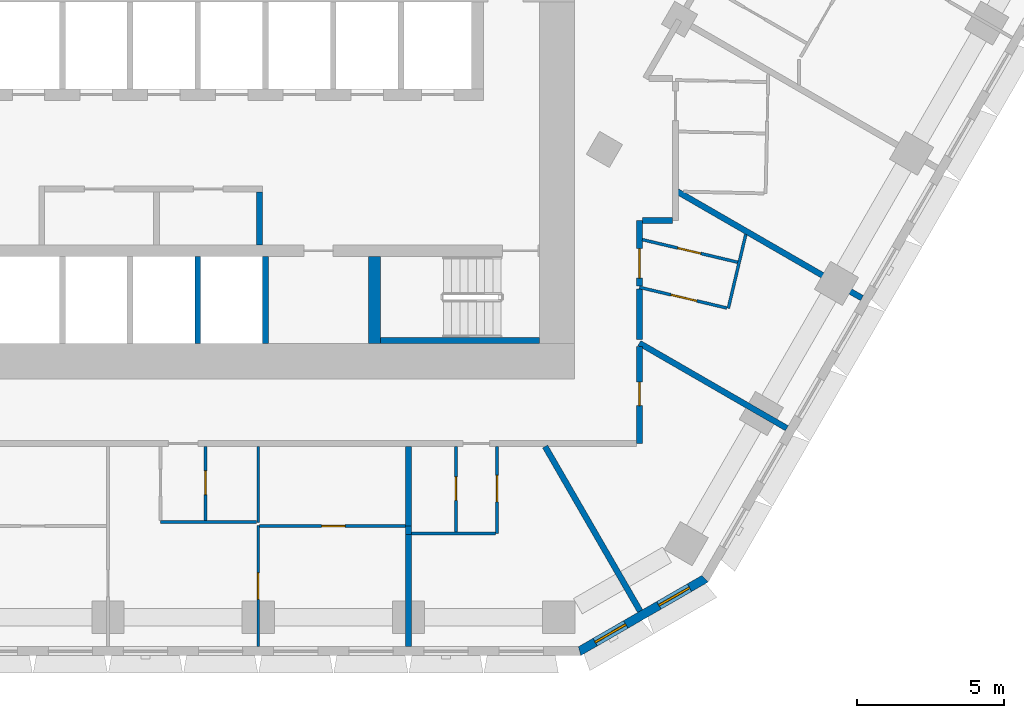
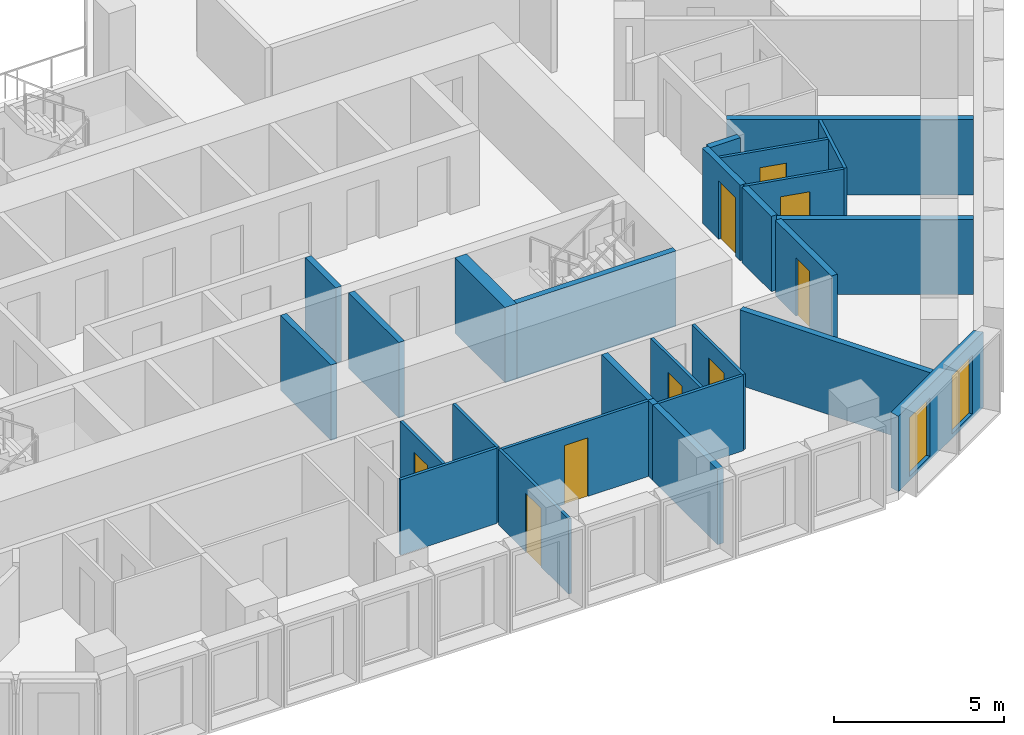
# One storey, part 6 of 21: 27 walls, 9 doors, 2 windows, 11 openings.
"""IFC4 building model written with IfcOpenShell, lengths in metres."""

from ifc_helpers import new_model, si_unit, direction, frame, frame_2d, origin, place, context, subcontext, project, spatial, polyline, rectangle, outline, extrude, material, layer, layer_set, type_object, element, fill, save


model = new_model("IFC4")

# Units and contexts
model_context = context("Model", 3, precision=1e-05, world=origin(), true_north=direction((0.0, 1.0)))
body_context = subcontext(model_context, "Body", "Model", "MODEL_VIEW")
ifc_project = project(units=[si_unit("LENGTHUNIT", "METRE"), si_unit("AREAUNIT", "SQUARE_METRE"), si_unit("VOLUMEUNIT", "CUBIC_METRE"), si_unit("PLANEANGLEUNIT", "RADIAN"), si_unit("MASSUNIT", "GRAM", prefix="KILO")], contexts=[model_context])

# Site, building, storey
site_placement = place(None, origin())
site = spatial("IfcSite", under=ifc_project, at=site_placement, CompositionType="ELEMENT")
building_placement = place(site_placement, origin())
building = spatial("IfcBuilding", under=site, at=building_placement, Name="Beryl Residences", CompositionType="ELEMENT")
storey_placement = place(building_placement, frame((0.0, 0.0, 41.39990234375)))
storey = spatial("IfcBuildingStorey", under=building, at=storey_placement, Name="L12", CompositionType="ELEMENT", Elevation=41.39990234375)

# Wall, openings, windows
ifc_material_1 = material(Name="Composite metal panel with mineral wool insulation")
ifc_layer_1 = layer(ifc_material_1, 0.300048828125)
ifc_layer_set_1 = layer_set([ifc_layer_1], Name="ES1 pale metal composite panel wall 300 mm")
wall_type_1 = type_object("IfcWallType", Name="ES1 pale metal composite panel wall 300 mm", PredefinedType="SOLIDWALL", material=ifc_layer_set_1)
wall_1_placement = place(storey_placement, frame((13.43505859375, -28.27001953125, 0.0), z_axis=(0.0, 0.0, 1.0), x_axis=(0.866010750942, 0.50002537861, 0.0)))
wall_1 = element("IfcWall", 1, at=wall_1_placement, inside=storey, type_object=wall_type_1, Name="ES1 external wall L12 S-SE", PredefinedType="SOLIDWALL", context=body_context, shape_type="SweptSolid", body=[
    extrude(outline(polyline([(0.0, -0.14990234375), (4.999755859375, -0.14990234375), (4.91943359375, 0.14990234375), (0.080322265625, 0.14990234375), (0.0, -0.14990234375)])), origin(), (0.0, 0.0, 1.0), 2.7001953125),
])
opening_1_placement = place(wall_1_placement, frame((0.64990234375, 0.0, 0.14990234375)))
opening_1 = element("IfcOpeningElement", 2, at=opening_1_placement, cuts=wall_1, Name="Opening W2", PredefinedType="OPENING", context=body_context, shape_type="SweptSolid", body=[
    extrude(rectangle(XDim=1.199951171875, YDim=2.10009765625, at=frame_2d((0.60009765625, 1.050048828125))), frame((0.0, 0.159912109375, 0.0), z_axis=(0.0, -1.0, 0.0), x_axis=(1.0, 0.0, 0.0)), (0.0, 0.0, 1.0), 0.320068359375),
])
opening_2_placement = place(wall_1_placement, frame((3.14892578125, 0.0, 0.14990234375)))
opening_2 = element("IfcOpeningElement", 3, at=opening_2_placement, cuts=wall_1, Name="Opening W2", PredefinedType="OPENING", context=body_context, shape_type="SweptSolid", body=[
    extrude(rectangle(XDim=1.199951171875, YDim=2.10009765625, at=frame_2d((0.60009765625, 1.050048828125))), frame((0.0, 0.159912109375, 0.0), z_axis=(0.0, -1.0, 0.0), x_axis=(1.0, 0.0, 0.0)), (0.0, 0.0, 1.0), 0.320068359375),
])
ifc_material_2 = material(Name="Aluminium and clear glass", Category="aluminium")
window_type = type_object("IfcWindowType", Name="W2 chamfer window 1200 x 2100 mm", PartitioningType="SINGLE_PANEL", PredefinedType="WINDOW", material=ifc_material_2)
window_1_placement = place(opening_1_placement, origin())
window_1 = element("IfcWindow", 4, at=window_1_placement, inside=storey, type_object=window_type, Name="W2 window L12 S-SE 1", OverallHeight=2.10009765625, OverallWidth=1.199951171875, PartitioningType="SINGLE_PANEL", PredefinedType="WINDOW", context=body_context, shape_type="SweptSolid", body=[
    extrude(rectangle(XDim=1.199951171875, YDim=2.10009765625, at=frame_2d((0.60009765625, 1.050048828125))), frame((0.0, 0.030029296875, 0.0), z_axis=(0.0, -1.0, 0.0), x_axis=(1.0, 0.0, 0.0)), (0.0, 0.0, 1.0), 0.06005859375),
])
fill(opening_1, window_1)
window_2_placement = place(opening_2_placement, origin())
window_2 = element("IfcWindow", 5, at=window_2_placement, inside=storey, type_object=window_type, Name="W2 window L12 S-SE 2", OverallHeight=2.10009765625, OverallWidth=1.199951171875, PartitioningType="SINGLE_PANEL", PredefinedType="WINDOW", context=body_context, shape_type="SweptSolid", body=[
    extrude(rectangle(XDim=1.199951171875, YDim=2.10009765625, at=frame_2d((0.60009765625, 1.050048828125))), frame((0.0, 0.030029296875, 0.0), z_axis=(0.0, -1.0, 0.0), x_axis=(1.0, 0.0, 0.0)), (0.0, 0.0, 1.0), 0.06005859375),
])
fill(opening_2, window_2)

# Wall, opening, door
ifc_material_3 = material(Name="Gypsum board partition on steel studs", Category="steel")
ifc_layer_2 = layer(ifc_material_3, 0.10009765625)
ifc_layer_set_2 = layer_set([ifc_layer_2], Name="PT1 partition 100 mm gypsum board on steel studs")
wall_type_2 = type_object("IfcWallType", Name="PT1 partition 100 mm gypsum board on steel studs", PredefinedType="PARTITIONING", material=ifc_layer_set_2)
wall_2_placement = place(storey_placement, frame((15.60009765625, -14.27294921875, 0.0), z_axis=(0.0, 0.0, 1.0), x_axis=(0.973083317443, -0.230453590368, 0.0)))
wall_2 = element("IfcWall", 6, at=wall_2_placement, inside=storey, type_object=wall_type_2, Name="Wall PT1 L12 015", PredefinedType="PARTITIONING", context=body_context, shape_type="SweptSolid", body=[
    extrude(rectangle(XDim=3.32861328125, YDim=0.10009765625, at=frame_2d((1.664306640625, 0.0))), origin(), (0.0, 0.0, 1.0), 2.7001953125),
])
opening_3_placement = place(wall_2_placement, frame((1.238037109375, 0.0, 0.0)))
opening_3 = element("IfcOpeningElement", 7, at=opening_3_placement, cuts=wall_2, Name="Opening D0239", PredefinedType="OPENING", context=body_context, shape_type="SweptSolid", body=[
    extrude(rectangle(XDim=0.800048828125, YDim=2.10009765625, at=frame_2d((0.39990234375, 1.050048828125))), frame((0.0, 0.06005859375, 0.0), z_axis=(0.0, -1.0, 0.0), x_axis=(1.0, 0.0, 0.0)), (0.0, 0.0, 1.0), 0.1201171875),
])
ifc_material_4 = material(Name="Timber door leaf", Category="wood")
door_type_1 = type_object("IfcDoorType", Name="D3 bathroom door 800 x 2100 mm", OperationType="SINGLE_SWING_LEFT", PredefinedType="DOOR", material=ifc_material_4)
door_1_placement = place(opening_3_placement, origin())
door_1 = element("IfcDoor", 8, at=door_1_placement, inside=storey, type_object=door_type_1, Name="Door D0239 L12 001", OperationType="SINGLE_SWING_LEFT", OverallHeight=2.10009765625, OverallWidth=0.800048828125, PredefinedType="DOOR", context=body_context, shape_type="SweptSolid", body=[
    extrude(rectangle(XDim=0.800048828125, YDim=2.10009765625, at=frame_2d((0.39990234375, 1.050048828125))), frame((0.0, 0.02490234375, 0.0), z_axis=(0.0, -1.0, 0.0), x_axis=(1.0, 0.0, 0.0)), (0.0, 0.0, 1.0), 0.050048828125),
])
fill(opening_3, door_1)

wall_3_placement = place(storey_placement, frame((15.5, -15.89208984375, 0.0), z_axis=(0.0, 0.0, 1.0), x_axis=(0.973119457068, -0.230300938504, 0.0)))
wall_3 = element("IfcWall", 9, at=wall_3_placement, inside=storey, type_object=wall_type_2, Name="Wall PT1 L12 016", PredefinedType="PARTITIONING", context=body_context, shape_type="SweptSolid", body=[
    extrude(rectangle(XDim=3.052001953125, YDim=0.10009765625, at=frame_2d((1.52587890625, 0.0))), origin(), (0.0, 0.0, 1.0), 2.7001953125),
])
opening_4_placement = place(wall_3_placement, frame((1.10205078125, 0.0, 0.0)))
opening_4 = element("IfcOpeningElement", 10, at=opening_4_placement, cuts=wall_3, Name="Opening D0238", PredefinedType="OPENING", context=body_context, shape_type="SweptSolid", body=[
    extrude(rectangle(XDim=0.89990234375, YDim=2.10009765625, at=frame_2d((0.449951171875, 1.050048828125))), frame((0.0, 0.06005859375, 0.0), z_axis=(0.0, -1.0, 0.0), x_axis=(1.0, 0.0, 0.0)), (0.0, 0.0, 1.0), 0.1201171875),
])
ifc_material_5 = material(Name="Timber door leaf", Category="wood")
door_type_2 = type_object("IfcDoorType", Name="D2 room door 900 x 2100 mm", OperationType="SINGLE_SWING_LEFT", PredefinedType="DOOR", material=ifc_material_5)
door_2_placement = place(opening_4_placement, origin())
door_2 = element("IfcDoor", 11, at=door_2_placement, inside=storey, type_object=door_type_2, Name="Door D0238 L12 001", OperationType="SINGLE_SWING_RIGHT", OverallHeight=2.10009765625, OverallWidth=0.89990234375, PredefinedType="DOOR", context=body_context, shape_type="SweptSolid", body=[
    extrude(rectangle(XDim=0.89990234375, YDim=2.10009765625, at=frame_2d((0.449951171875, 1.050048828125))), frame((0.0, 0.02490234375, 0.0), z_axis=(0.0, -1.0, 0.0), x_axis=(1.0, 0.0, 0.0)), (0.0, 0.0, 1.0), 0.050048828125),
])
fill(opening_4, door_2)

# Wall
wall_4_placement = place(storey_placement, frame((-0.763916015625, -23.860107421875, 0.0), z_axis=(0.0, 0.0, 1.0), x_axis=(1.0, 0.0, 0.0)))
element("IfcWall", 12, at=wall_4_placement, inside=storey, type_object=wall_type_2, Name="Wall PT1 L12 030", PredefinedType="PARTITIONING", context=body_context, shape_type="SweptSolid", body=[
    extrude(rectangle(XDim=3.266845703125, YDim=0.10009765625, at=frame_2d((1.63330078125, 0.0))), origin(), (0.0, 0.0, 1.0), 2.7001953125),
])

# Wall, opening, door
wall_5_placement = place(storey_placement, frame((2.60302734375, -24.0, 0.0), z_axis=(0.0, 0.0, 1.0), x_axis=(1.0, 0.0, 0.0)))
wall_5 = element("IfcWall", 13, at=wall_5_placement, inside=storey, type_object=wall_type_2, Name="Wall PT1 L12 032", PredefinedType="PARTITIONING", context=body_context, shape_type="SweptSolid", body=[
    extrude(rectangle(XDim=4.953857421875, YDim=0.10009765625, at=frame_2d((2.47705078125, 0.0))), origin(), (0.0, 0.0, 1.0), 2.7001953125),
])
opening_5_placement = place(wall_5_placement, frame((2.10205078125, 0.0, 0.0)))
opening_5 = element("IfcOpeningElement", 14, at=opening_5_placement, cuts=wall_5, Name="Opening D0232", PredefinedType="OPENING", context=body_context, shape_type="SweptSolid", body=[
    extrude(rectangle(XDim=0.800048828125, YDim=2.10009765625, at=frame_2d((0.39990234375, 1.050048828125))), frame((0.0, 0.06005859375, 0.0), z_axis=(0.0, -1.0, 0.0), x_axis=(1.0, 0.0, 0.0)), (0.0, 0.0, 1.0), 0.1201171875),
])
door_3_placement = place(opening_5_placement, origin())
door_3 = element("IfcDoor", 15, at=door_3_placement, inside=storey, type_object=door_type_1, Name="Door D0232 L12 001", OperationType="SINGLE_SWING_RIGHT", OverallHeight=2.10009765625, OverallWidth=0.800048828125, PredefinedType="DOOR", context=body_context, shape_type="SweptSolid", body=[
    extrude(rectangle(XDim=0.800048828125, YDim=2.10009765625, at=frame_2d((0.39990234375, 1.050048828125))), frame((0.0, 0.02490234375, 0.0), z_axis=(0.0, -1.0, 0.0), x_axis=(1.0, 0.0, 0.0)), (0.0, 0.0, 1.0), 0.050048828125),
])
fill(opening_5, door_3)

# Walls
wall_6_placement = place(storey_placement, frame((7.757080078125, -24.260009765625, 0.0), z_axis=(0.0, 0.0, 1.0), x_axis=(1.0, 0.0, 0.0)))
element("IfcWall", 16, at=wall_6_placement, inside=storey, type_object=wall_type_2, Name="Wall PT1 L12 034", PredefinedType="PARTITIONING", context=body_context, shape_type="SweptSolid", body=[
    extrude(rectangle(XDim=2.85791015625, YDim=0.10009765625, at=frame_2d((1.428955078125, 0.0))), origin(), (0.0, 0.0, 1.0), 2.7001953125),
])
wall_7_placement = place(storey_placement, frame((18.52001953125, -16.60595703125, 0.0), z_axis=(0.0, 0.0, 1.0), x_axis=(0.230289488548, 0.973122166773, 0.0)))
element("IfcWall", 17, at=wall_7_placement, inside=storey, type_object=wall_type_2, Name="Wall PT1 L12 044", PredefinedType="PARTITIONING", context=body_context, shape_type="SweptSolid", body=[
    extrude(rectangle(XDim=2.579345703125, YDim=0.10009765625, at=frame_2d((1.28955078125, 0.0))), origin(), (0.0, 0.0, 1.0), 2.7001953125),
])

# Wall, opening, door
wall_8_placement = place(storey_placement, frame((0.76708984375, -23.81005859375, 0.0), z_axis=(0.0, 0.0, 1.0), x_axis=(0.0, 1.0, 0.0)))
wall_8 = element("IfcWall", 18, at=wall_8_placement, inside=storey, type_object=wall_type_2, Name="Wall PT1 L12 048", PredefinedType="PARTITIONING", context=body_context, shape_type="SweptSolid", body=[
    extrude(rectangle(XDim=2.510009765625, YDim=0.10009765625, at=frame_2d((1.2548828125, 0.0))), origin(), (0.0, 0.0, 1.0), 2.7001953125),
])
opening_6_placement = place(wall_8_placement, frame((0.8798828125, 0.0, 0.0)))
opening_6 = element("IfcOpeningElement", 19, at=opening_6_placement, cuts=wall_8, Name="Opening D0228", PredefinedType="OPENING", context=body_context, shape_type="SweptSolid", body=[
    extrude(rectangle(XDim=0.800048828125, YDim=2.10009765625, at=frame_2d((0.39990234375, 1.050048828125))), frame((0.0, 0.06005859375, 0.0), z_axis=(0.0, -1.0, 0.0), x_axis=(1.0, 0.0, 0.0)), (0.0, 0.0, 1.0), 0.1201171875),
])
door_4_placement = place(opening_6_placement, origin())
door_4 = element("IfcDoor", 20, at=door_4_placement, inside=storey, type_object=door_type_1, Name="Door D0228 L12 001", OperationType="SINGLE_SWING_RIGHT", OverallHeight=2.10009765625, OverallWidth=0.800048828125, PredefinedType="DOOR", context=body_context, shape_type="SweptSolid", body=[
    extrude(rectangle(XDim=0.800048828125, YDim=2.10009765625, at=frame_2d((0.39990234375, 1.050048828125))), frame((0.0, 0.02490234375, 0.0), z_axis=(0.0, -1.0, 0.0), x_axis=(1.0, 0.0, 0.0)), (0.0, 0.0, 1.0), 0.050048828125),
])
fill(opening_6, door_4)

wall_9_placement = place(storey_placement, frame((9.26611328125, -24.2099609375, 0.0), z_axis=(0.0, 0.0, 1.0), x_axis=(0.0, 1.0, 0.0)))
wall_9 = element("IfcWall", 21, at=wall_9_placement, inside=storey, type_object=wall_type_2, Name="Wall PT1 L12 049", PredefinedType="PARTITIONING", context=body_context, shape_type="SweptSolid", body=[
    extrude(rectangle(XDim=2.909912109375, YDim=0.10009765625, at=frame_2d((1.455078125, 0.0))), origin(), (0.0, 0.0, 1.0), 2.7001953125),
])
opening_7_placement = place(wall_9_placement, frame((1.080078125, 0.0, 0.0)))
opening_7 = element("IfcOpeningElement", 22, at=opening_7_placement, cuts=wall_9, Name="Opening D0235", PredefinedType="OPENING", context=body_context, shape_type="SweptSolid", body=[
    extrude(rectangle(XDim=0.800048828125, YDim=2.10009765625, at=frame_2d((0.39990234375, 1.050048828125))), frame((0.0, 0.06005859375, 0.0), z_axis=(0.0, -1.0, 0.0), x_axis=(1.0, 0.0, 0.0)), (0.0, 0.0, 1.0), 0.1201171875),
])
door_5_placement = place(opening_7_placement, origin())
door_5 = element("IfcDoor", 23, at=door_5_placement, inside=storey, type_object=door_type_1, Name="Door D0235 L12 001", OperationType="SINGLE_SWING_LEFT", OverallHeight=2.10009765625, OverallWidth=0.800048828125, PredefinedType="DOOR", context=body_context, shape_type="SweptSolid", body=[
    extrude(rectangle(XDim=0.800048828125, YDim=2.10009765625, at=frame_2d((0.39990234375, 1.050048828125))), frame((0.0, 0.02490234375, 0.0), z_axis=(0.0, -1.0, 0.0), x_axis=(1.0, 0.0, 0.0)), (0.0, 0.0, 1.0), 0.050048828125),
])
fill(opening_7, door_5)

wall_10_placement = place(storey_placement, frame((10.666015625, -24.259033203125, 0.0), z_axis=(0.0, 0.0, 1.0), x_axis=(0.0, 1.0, 0.0)))
wall_10 = element("IfcWall", 24, at=wall_10_placement, inside=storey, type_object=wall_type_2, Name="Wall PT1 L12 050", PredefinedType="PARTITIONING", context=body_context, shape_type="SweptSolid", body=[
    extrude(rectangle(XDim=2.958984375, YDim=0.10009765625, at=frame_2d((1.4794921875, 0.0))), origin(), (0.0, 0.0, 1.0), 2.7001953125),
])
opening_8_placement = place(wall_10_placement, frame((1.0791015625, 0.0, 0.0)))
opening_8 = element("IfcOpeningElement", 25, at=opening_8_placement, cuts=wall_10, Name="Opening D0234", PredefinedType="OPENING", context=body_context, shape_type="SweptSolid", body=[
    extrude(rectangle(XDim=0.89990234375, YDim=2.10009765625, at=frame_2d((0.449951171875, 1.050048828125))), frame((0.0, 0.06005859375, 0.0), z_axis=(0.0, -1.0, 0.0), x_axis=(1.0, 0.0, 0.0)), (0.0, 0.0, 1.0), 0.1201171875),
])
door_6_placement = place(opening_8_placement, origin())
door_6 = element("IfcDoor", 26, at=door_6_placement, inside=storey, type_object=door_type_2, Name="Door D0234 L12 001", OperationType="SINGLE_SWING_RIGHT", OverallHeight=2.10009765625, OverallWidth=0.89990234375, PredefinedType="DOOR", context=body_context, shape_type="SweptSolid", body=[
    extrude(rectangle(XDim=0.89990234375, YDim=2.10009765625, at=frame_2d((0.449951171875, 1.050048828125))), frame((0.0, 0.02490234375, 0.0), z_axis=(0.0, -1.0, 0.0), x_axis=(1.0, 0.0, 0.0)), (0.0, 0.0, 1.0), 0.050048828125),
])
fill(opening_8, door_6)

wall_11_placement = place(storey_placement, frame((2.552978515625, -28.10009765625, 0.0), z_axis=(0.0, 0.0, 1.0), x_axis=(0.0, 1.0, 0.0)))
wall_11 = element("IfcWall", 27, at=wall_11_placement, inside=storey, type_object=wall_type_2, Name="Wall PT1 L12 052", PredefinedType="PARTITIONING", context=body_context, shape_type="SweptSolid", body=[
    extrude(rectangle(XDim=4.1201171875, YDim=0.10009765625, at=frame_2d((2.06005859375, 0.0))), origin(), (0.0, 0.0, 1.0), 2.7001953125),
])
opening_9_placement = place(wall_11_placement, frame((1.610107421875, 0.0, 0.0)))
opening_9 = element("IfcOpeningElement", 28, at=opening_9_placement, cuts=wall_11, Name="Opening D0229", PredefinedType="OPENING", context=body_context, shape_type="SweptSolid", body=[
    extrude(rectangle(XDim=0.89990234375, YDim=2.10009765625, at=frame_2d((0.449951171875, 1.050048828125))), frame((0.0, 0.06005859375, 0.0), z_axis=(0.0, -1.0, 0.0), x_axis=(1.0, 0.0, 0.0)), (0.0, 0.0, 1.0), 0.1201171875),
])
door_7_placement = place(opening_9_placement, origin())
door_7 = element("IfcDoor", 29, at=door_7_placement, inside=storey, type_object=door_type_2, Name="Door D0229 L12 001", OperationType="SINGLE_SWING_LEFT", OverallHeight=2.10009765625, OverallWidth=0.89990234375, PredefinedType="DOOR", context=body_context, shape_type="SweptSolid", body=[
    extrude(rectangle(XDim=0.89990234375, YDim=2.10009765625, at=frame_2d((0.449951171875, 1.050048828125))), frame((0.0, 0.02490234375, 0.0), z_axis=(0.0, -1.0, 0.0), x_axis=(1.0, 0.0, 0.0)), (0.0, 0.0, 1.0), 0.050048828125),
])
fill(opening_9, door_7)

# Walls
wall_12_placement = place(storey_placement, frame((2.552978515625, -23.8798828125, 0.0), z_axis=(0.0, 0.0, 1.0), x_axis=(0.0, 1.0, 0.0)))
element("IfcWall", 30, at=wall_12_placement, inside=storey, type_object=wall_type_2, Name="Wall PT1 L12 053", PredefinedType="PARTITIONING", context=body_context, shape_type="SweptSolid", body=[
    extrude(rectangle(XDim=2.579833984375, YDim=0.10009765625, at=frame_2d((1.2900390625, 0.0))), origin(), (0.0, 0.0, 1.0), 2.7001953125),
])
ifc_material_6 = material(Name="Concrete masonry", Category="masonry")
ifc_layer_3 = layer(ifc_material_6, 0.199951171875)
ifc_layer_set_3 = layer_set([ifc_layer_3], Name="PT13 lobby wall 200 mm")
wall_type_3 = type_object("IfcWallType", Name="PT13 lobby wall 200 mm", PredefinedType="PARTITIONING", material=ifc_layer_set_3)
wall_13_placement = place(storey_placement, frame((2.60009765625, -14.449951171875, 0.0), z_axis=(0.0, 0.0, 1.0), x_axis=(0.0, 1.0, 0.0)))
element("IfcWall", 31, at=wall_13_placement, inside=storey, type_object=wall_type_3, Name="Lobby wall 16", PredefinedType="PARTITIONING", context=body_context, shape_type="SweptSolid", body=[
    extrude(rectangle(XDim=1.800048828125, YDim=0.199951171875, at=frame_2d((0.89990234375, 0.0))), origin(), (0.0, 0.0, 1.0), 2.7001953125),
])
ifc_material_7 = material(Name="Acoustic double stud gypsum board wall")
ifc_layer_4 = layer(ifc_material_7, 0.199951171875)
ifc_layer_set_4 = layer_set([ifc_layer_4], Name="PT3 party wall 200 mm acoustic double stud")
wall_type_4 = type_object("IfcWallType", Name="PT3 party wall 200 mm acoustic double stud", PredefinedType="PARTITIONING", material=ifc_layer_set_4)
wall_14_placement = place(storey_placement, frame((12.297119140625, -21.300048828125, 0.0), z_axis=(0.0, 0.0, 1.0), x_axis=(0.500056399578, -0.865992839024, 0.0)))
element("IfcWall", 32, at=wall_14_placement, inside=storey, type_object=wall_type_4, Name="Wall PT3 L12 002", PredefinedType="PARTITIONING", context=body_context, shape_type="SweptSolid", body=[
    extrude(rectangle(XDim=6.454833984375, YDim=0.199951171875, at=frame_2d((3.2275390625, 0.0))), origin(), (0.0, 0.0, 1.0), 2.7001953125),
])
wall_15_placement = place(storey_placement, frame((7.656982421875, -24.0, 0.0), z_axis=(0.0, 0.0, 1.0), x_axis=(0.0, -1.0, 0.0)))
element("IfcWall", 33, at=wall_15_placement, inside=storey, type_object=wall_type_4, Name="Wall PT3 L12 006", PredefinedType="PARTITIONING", context=body_context, shape_type="SweptSolid", body=[
    extrude(rectangle(XDim=0.280029296875, YDim=0.199951171875, at=frame_2d((0.14013671875, 0.0))), origin(), (0.0, 0.0, 1.0), 2.7001953125),
])
wall_16_placement = place(storey_placement, frame((15.5, -17.7880859375, 0.0), z_axis=(0.0, 0.0, 1.0), x_axis=(0.866065366639, -0.499930775916, 0.0)))
element("IfcWall", 34, at=wall_16_placement, inside=storey, type_object=wall_type_4, Name="Wall PT3 L12 008", PredefinedType="PARTITIONING", context=body_context, shape_type="SweptSolid", body=[
    extrude(rectangle(XDim=5.782470703125, YDim=0.199951171875, at=frame_2d((2.89111328125, 0.0))), origin(), (0.0, 0.0, 1.0), 2.7001953125),
])
wall_17_placement = place(storey_placement, frame((16.7880859375, -12.637939453125, 0.0), z_axis=(0.0, 0.0, 1.0), x_axis=(0.866027278279, -0.499996753267, 0.0)))
element("IfcWall", 35, at=wall_17_placement, inside=storey, type_object=wall_type_4, Name="Wall PT3 L12 011", PredefinedType="PARTITIONING", context=body_context, shape_type="SweptSolid", body=[
    extrude(rectangle(XDim=7.2421875, YDim=0.199951171875, at=frame_2d((3.62109375, 0.0))), origin(), (0.0, 0.0, 1.0), 2.7001953125),
])
wall_18_placement = place(storey_placement, frame((7.656982421875, -28.10009765625, 0.0), z_axis=(0.0, 0.0, 1.0), x_axis=(0.0, 1.0, 0.0)))
element("IfcWall", 36, at=wall_18_placement, inside=storey, type_object=wall_type_4, Name="Wall PT3 L12 017", PredefinedType="PARTITIONING", context=body_context, shape_type="SweptSolid", body=[
    extrude(rectangle(XDim=3.860107421875, YDim=0.199951171875, at=frame_2d((1.93017578125, 0.0))), origin(), (0.0, 0.0, 1.0), 2.7001953125),
])
wall_19_placement = place(storey_placement, frame((7.656982421875, -24.0, 0.0), z_axis=(0.0, 0.0, 1.0), x_axis=(0.0, 1.0, 0.0)))
element("IfcWall", 37, at=wall_19_placement, inside=storey, type_object=wall_type_4, Name="Wall PT3 L12 018", PredefinedType="PARTITIONING", context=body_context, shape_type="SweptSolid", body=[
    extrude(rectangle(XDim=2.699951171875, YDim=0.199951171875, at=frame_2d((1.35009765625, 0.0))), origin(), (0.0, 0.0, 1.0), 2.7001953125),
])
ifc_material_8 = material(Name="Double stud gypsum board wall")
ifc_layer_5 = layer(ifc_material_8, 0.199951171875)
ifc_layer_set_5 = layer_set([ifc_layer_5], Name="PT4 corridor wall 200 mm double stud")
wall_type_5 = type_object("IfcWallType", Name="PT4 corridor wall 200 mm double stud", PredefinedType="PARTITIONING", material=ifc_layer_set_5)
wall_20_placement = place(storey_placement, frame((15.5, -15.943115234375, 0.0), z_axis=(0.0, 0.0, 1.0), x_axis=(0.0, -1.0, 0.0)))
element("IfcWall", 38, at=wall_20_placement, inside=storey, type_object=wall_type_5, Name="Wall PT4 L12 009", PredefinedType="PARTITIONING", context=body_context, shape_type="SweptSolid", body=[
    extrude(rectangle(XDim=1.72900390625, YDim=0.199951171875, at=frame_2d((0.864501953125, 0.0))), origin(), (0.0, 0.0, 1.0), 2.7001953125),
])
wall_21_placement = place(storey_placement, frame((15.60009765625, -13.6240234375, 0.0), z_axis=(0.0, 0.0, 1.0), x_axis=(1.0, 0.0, 0.0)))
element("IfcWall", 39, at=wall_21_placement, inside=storey, type_object=wall_type_5, Name="Wall PT4 L12 012", PredefinedType="PARTITIONING", context=body_context, shape_type="SweptSolid", body=[
    extrude(rectangle(XDim=1.02783203125, YDim=0.199951171875, at=frame_2d((0.513916015625, 0.0))), origin(), (0.0, 0.0, 1.0), 2.7001953125),
])

# Wall, opening, door
wall_22_placement = place(storey_placement, frame((15.5, -21.198974609375, 0.0), z_axis=(0.0, 0.0, 1.0), x_axis=(0.0, 1.0, 0.0)))
wall_22 = element("IfcWall", 40, at=wall_22_placement, inside=storey, type_object=wall_type_5, Name="Wall PT4 L12 028", PredefinedType="PARTITIONING", context=body_context, shape_type="SweptSolid", body=[
    extrude(rectangle(XDim=3.2958984375, YDim=0.199951171875, at=frame_2d((1.64794921875, 0.0))), origin(), (0.0, 0.0, 1.0), 2.7001953125),
])
opening_10_placement = place(wall_22_placement, frame((1.2880859375, 0.0, 0.0)))
opening_10 = element("IfcOpeningElement", 41, at=opening_10_placement, cuts=wall_22, Name="Opening D0236", PredefinedType="OPENING", context=body_context, shape_type="SweptSolid", body=[
    extrude(rectangle(XDim=0.800048828125, YDim=2.10009765625, at=frame_2d((0.39990234375, 1.050048828125))), frame((0.0, 0.10986328125, 0.0), z_axis=(0.0, -1.0, 0.0), x_axis=(1.0, 0.0, 0.0)), (0.0, 0.0, 1.0), 0.219970703125),
])
door_8_placement = place(opening_10_placement, origin())
door_8 = element("IfcDoor", 42, at=door_8_placement, inside=storey, type_object=door_type_1, Name="Door D0236 L12 001", OperationType="SINGLE_SWING_RIGHT", OverallHeight=2.10009765625, OverallWidth=0.800048828125, PredefinedType="DOOR", context=body_context, shape_type="SweptSolid", body=[
    extrude(rectangle(XDim=0.800048828125, YDim=2.10009765625, at=frame_2d((0.39990234375, 1.050048828125))), frame((0.0, 0.02490234375, 0.0), z_axis=(0.0, -1.0, 0.0), x_axis=(1.0, 0.0, 0.0)), (0.0, 0.0, 1.0), 0.050048828125),
])
fill(opening_10, door_8)

wall_23_placement = place(storey_placement, frame((15.5, -15.840087890625, 0.0), z_axis=(0.0, 0.0, 1.0), x_axis=(0.0, 1.0, 0.0)))
wall_23 = element("IfcWall", 43, at=wall_23_placement, inside=storey, type_object=wall_type_5, Name="Wall PT4 L12 029", PredefinedType="PARTITIONING", context=body_context, shape_type="SweptSolid", body=[
    extrude(rectangle(XDim=2.216064453125, YDim=0.199951171875, at=frame_2d((1.10791015625, 0.0))), origin(), (0.0, 0.0, 1.0), 2.7001953125),
])
opening_11_placement = place(wall_23_placement, frame((0.262939453125, 0.0, 0.0)))
opening_11 = element("IfcOpeningElement", 44, at=opening_11_placement, cuts=wall_23, Name="Opening D0237", PredefinedType="OPENING", context=body_context, shape_type="SweptSolid", body=[
    extrude(rectangle(XDim=1.0, YDim=2.10009765625, at=frame_2d((0.5, 1.050048828125))), frame((0.0, 0.10986328125, 0.0), z_axis=(0.0, -1.0, 0.0), x_axis=(1.0, 0.0, 0.0)), (0.0, 0.0, 1.0), 0.219970703125),
])
ifc_material_9 = material(Name="Timber door leaf", Category="wood")
door_type_3 = type_object("IfcDoorType", Name="D1 flat entrance door 1000 x 2100 mm", OperationType="SINGLE_SWING_LEFT", PredefinedType="DOOR", material=ifc_material_9)
door_9_placement = place(opening_11_placement, origin())
door_9 = element("IfcDoor", 45, at=door_9_placement, inside=storey, type_object=door_type_3, Name="Door D0237 L12 001", OperationType="SINGLE_SWING_LEFT", OverallHeight=2.10009765625, OverallWidth=1.0, PredefinedType="DOOR", context=body_context, shape_type="SweptSolid", body=[
    extrude(rectangle(XDim=1.0, YDim=2.10009765625, at=frame_2d((0.5, 1.050048828125))), frame((0.0, 0.02490234375, 0.0), z_axis=(0.0, -1.0, 0.0), x_axis=(1.0, 0.0, 0.0)), (0.0, 0.0, 1.0), 0.050048828125),
])
fill(opening_11, door_9)

# Walls
ifc_material_10 = material(Name="Concrete C40/50", Category="concrete")
ifc_layer_6 = layer(ifc_material_10, 0.199951171875)
ifc_layer_set_6 = layer_set([ifc_layer_6], Name="PT5 stair enclosure wall 200 mm reinforced concrete C40/50")
wall_type_6 = type_object("IfcWallType", Name="PT5 stair enclosure wall 200 mm reinforced concrete C40/50", PredefinedType="SOLIDWALL", material=ifc_layer_set_6)
wall_24_placement = place(storey_placement, frame((6.699951171875, -17.699951171875, 0.0), z_axis=(0.0, 0.0, 1.0), x_axis=(1.0, 0.0, 0.0)))
element("IfcWall", 46, at=wall_24_placement, inside=storey, type_object=wall_type_6, Name="Stair wall 20", PredefinedType="SOLIDWALL", context=body_context, shape_type="SweptSolid", body=[
    extrude(rectangle(XDim=5.400146484375, YDim=0.199951171875, at=frame_2d((2.7001953125, 0.0))), origin(), (0.0, 0.0, 1.0), 2.7001953125),
])
ifc_material_11 = material(Name="Concrete C40/50", Category="concrete")
ifc_layer_7 = layer(ifc_material_11, 0.199951171875)
ifc_layer_set_7 = layer_set([ifc_layer_7], Name="PT6 lift shaft wall 200 mm reinforced concrete C40/50")
wall_type_7 = type_object("IfcWallType", Name="PT6 lift shaft wall 200 mm reinforced concrete C40/50", PredefinedType="SOLIDWALL", material=ifc_layer_set_7)
for number, where, z_axis, x_axis, name in (
    (47, (0.5, -17.800048828125, 0.0), (0.0, 0.0, 1.0), (0.0, 1.0, 0.0), "Lift shaft wall 14"),
    (48, (2.800048828125, -17.800048828125, 0.0), (0.0, 0.0, 1.0), (0.0, 1.0, 0.0), "Lift shaft wall 17"),
):
    element("IfcWall", number, at=place(storey_placement, frame(where, z_axis=z_axis, x_axis=x_axis)), inside=storey, type_object=wall_type_7, Name=name, PredefinedType="SOLIDWALL", context=body_context, shape_type="SweptSolid", body=[
        extrude(rectangle(XDim=2.949951171875, YDim=0.199951171875, at=frame_2d((1.47509765625, 0.0))), origin(), (0.0, 0.0, 1.0), 2.7001953125),
    ])
ifc_material_12 = material(Name="Concrete C80/95", Category="concrete")
ifc_layer_8 = layer(ifc_material_12, 0.39990234375)
ifc_layer_set_8 = layer_set([ifc_layer_8], Name="SW6 core internal wall 400 mm C80/95")
wall_type_8 = type_object("IfcWallType", Name="SW6 core internal wall 400 mm C80/95", PredefinedType="SHEAR", material=ifc_layer_set_8)
wall_25_placement = place(storey_placement, frame((6.5, -17.800048828125, 0.0), z_axis=(0.0, 0.0, 1.0), x_axis=(0.0, 1.0, 0.0)))
element("IfcWall", 49, at=wall_25_placement, inside=storey, type_object=wall_type_8, Name="Core wall XS2 L12", PredefinedType="SHEAR", context=body_context, shape_type="SweptSolid", body=[
    extrude(rectangle(XDim=2.949951171875, YDim=0.39990234375, at=frame_2d((1.47509765625, 0.0))), origin(), (0.0, 0.0, 1.0), 2.7001953125),
])

save(model, "model.ifc")
